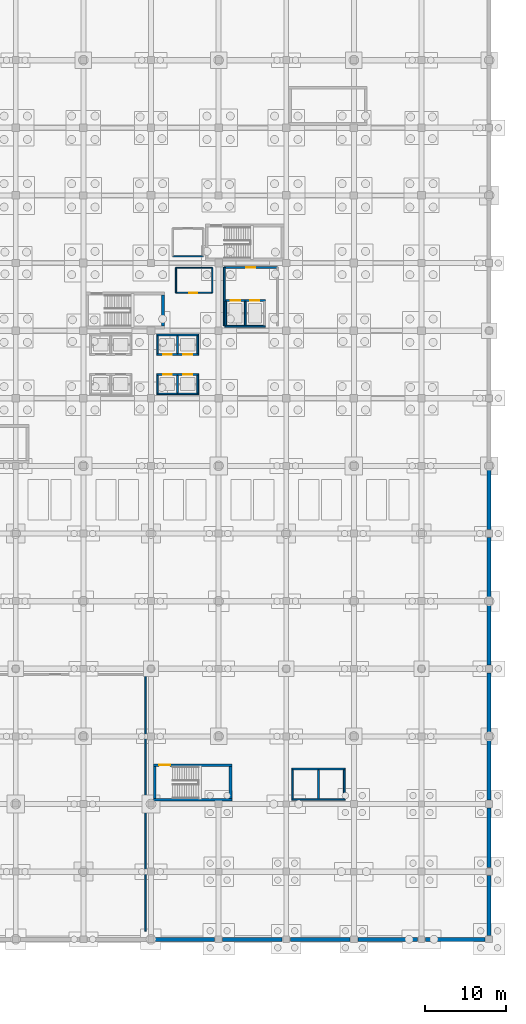
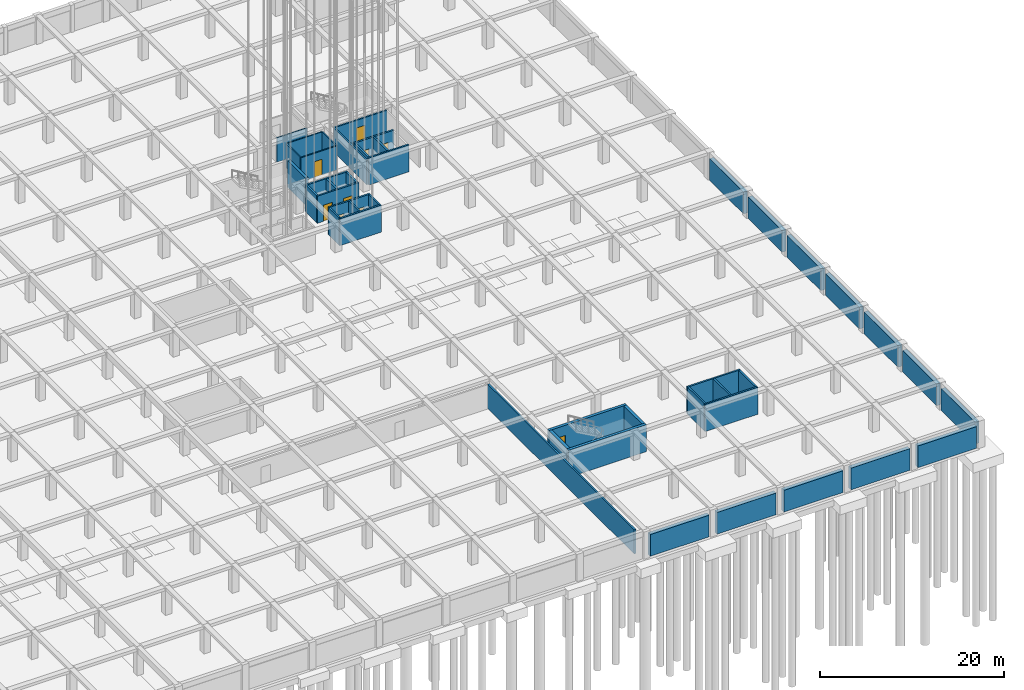
# One storey, part 22 of 47: 44 walls, 9 doors, 9 openings.
"""IFC4 building model written with IfcOpenShell, lengths in metres."""

from ifc_helpers import new_model, si_unit, direction, frame, frame_2d, origin, place, context, subcontext, project, spatial, rectangle, extrude, material, layer, layer_set, type_object, element, fill, save


model = new_model("IFC4")

# Units and contexts
model_context = context("Model", 3, precision=1e-05, world=origin(), true_north=direction((0.0, 1.0)))
body_context = subcontext(model_context, "Body", "Model", "MODEL_VIEW")
ifc_project = project(units=[si_unit("LENGTHUNIT", "METRE"), si_unit("AREAUNIT", "SQUARE_METRE"), si_unit("VOLUMEUNIT", "CUBIC_METRE"), si_unit("PLANEANGLEUNIT", "RADIAN"), si_unit("MASSUNIT", "GRAM", prefix="KILO")], contexts=[model_context])

# Site, building, storey
site_placement = place(None, origin())
site = spatial("IfcSite", under=ifc_project, at=site_placement, CompositionType="ELEMENT")
building_placement = place(site_placement, origin())
building = spatial("IfcBuilding", under=site, at=building_placement, Name="Almacenes y Pasaje Nevantli", CompositionType="ELEMENT")
storey_placement = place(building_placement, frame((0.0, 0.0, -8.10009765625)))
storey = spatial("IfcBuildingStorey", under=building, at=storey_placement, Name="B02", CompositionType="ELEMENT", Elevation=-8.10009765625)

# Wall, opening, door
ifc_material_1 = material(Name="Fire-Rated Concrete Blockwork", Category="masonry")
ifc_layer_1 = layer(ifc_material_1, 0.199951171875)
ifc_layer_set_1 = layer_set([ifc_layer_1], Name="Fire-Rated Concrete Blockwork")
wall_type_1 = type_object("IfcWallType", Name="WL-COMP-200", PredefinedType="PARTITIONING", material=ifc_layer_set_1)
wall_1_placement = place(storey_placement, frame((135.10009765625, 83.449951171875, 0.0), z_axis=(0.0, 0.0, 1.0), x_axis=(1.0, 0.0, 0.0)))
wall_1 = element("IfcWall", 1, at=wall_1_placement, inside=storey, type_object=wall_type_1, Name="B02 Interior Partition Wall IW-200 #1", PredefinedType="PARTITIONING", context=body_context, shape_type="SweptSolid", body=[
    extrude(rectangle(XDim=6.599853515625, YDim=0.199951171875, at=frame_2d((3.2998046875, 0.0))), origin(), (0.0, 0.0, 1.0), 3.22021484375),
])
opening_1_placement = place(wall_1_placement, frame((2.75, 0.0, 0.0)))
opening_1 = element("IfcOpeningElement", 2, at=opening_1_placement, cuts=wall_1, Name="Opening ID-B02-001", PredefinedType="OPENING", context=body_context, shape_type="SweptSolid", body=[
    extrude(rectangle(XDim=1.10009765625, YDim=2.199951171875, at=frame_2d((0.550048828125, 1.10009765625))), frame((0.0, 0.10986328125, 0.0), z_axis=(0.0, -1.0, 0.0), x_axis=(1.0, 0.0, 0.0)), (0.0, 0.0, 1.0), 0.219970703125),
])
ifc_material_2 = material(Name="Galvanized Fire-Rated Steel", Category="steel")
door_type_1 = type_object("IfcDoorType", Name="DR-FD90-1100R", OperationType="SINGLE_SWING_RIGHT", PredefinedType="DOOR", material=ifc_material_2)
door_1_placement = place(opening_1_placement, origin())
door_1 = element("IfcDoor", 3, at=door_1_placement, inside=storey, type_object=door_type_1, Name="B02 Firefighting Lobby Door", OperationType="SINGLE_SWING_RIGHT", OverallHeight=2.199951171875, OverallWidth=1.10009765625, PredefinedType="DOOR", context=body_context, shape_type="SweptSolid", body=[
    extrude(rectangle(XDim=1.10009765625, YDim=2.199951171875, at=frame_2d((0.550048828125, 1.10009765625))), frame((0.0, 0.02490234375, 0.0), z_axis=(0.0, -1.0, 0.0), x_axis=(1.0, 0.0, 0.0)), (0.0, 0.0, 1.0), 0.050048828125),
])
fill(opening_1, door_1)

# Walls
wall_2_placement = place(storey_placement, frame((135.10009765625, 76.199951171875, 0.0), z_axis=(0.0, 0.0, 1.0), x_axis=(0.0, 1.0, 0.0)))
element("IfcWall", 4, at=wall_2_placement, inside=storey, type_object=wall_type_1, Name="B02 Interior Partition Wall IW-200 #2", PredefinedType="PARTITIONING", context=body_context, shape_type="SweptSolid", body=[
    extrude(rectangle(XDim=7.25, YDim=0.199951171875, at=frame_2d((3.625, 0.0))), origin(), (0.0, 0.0, 1.0), 3.22021484375),
])
wall_3_placement = place(storey_placement, frame((125.300048828125, 1.0, 0.0), z_axis=(0.0, 0.0, 1.0), x_axis=(0.0, 1.0, 0.0)))
element("IfcWall", 5, at=wall_3_placement, inside=storey, type_object=wall_type_1, Name="B02 Interior Partition Wall IW-200 #16", PredefinedType="PARTITIONING", context=body_context, shape_type="SweptSolid", body=[
    extrude(rectangle(XDim=31.89990234375, YDim=0.199951171875, at=frame_2d((15.949951171875, 0.0))), origin(), (0.0, 0.0, 1.0), 3.22021484375),
])
ifc_material_3 = material(Name="Concrete C45/55", Category="concrete")
ifc_layer_2 = layer(ifc_material_3, 0.35009765625)
ifc_layer_set_2 = layer_set([ifc_layer_2], Name="Concrete C45/55")
wall_type_2 = type_object("IfcWallType", Name="WL-CORE-350", PredefinedType="SHEAR", material=ifc_layer_set_2)
wall_4_placement = place(storey_placement, frame((127.47509765625, 76.14990234375, 0.0), z_axis=(0.0, 0.0, 1.0), x_axis=(0.0, 1.0, 0.0)))
element("IfcWall", 6, at=wall_4_placement, inside=storey, type_object=wall_type_2, Name="B02 Exit Stair ST-01 East Core Shear Wall", PredefinedType="SHEAR", context=body_context, shape_type="SweptSolid", body=[
    extrude(rectangle(XDim=3.89013671875, YDim=0.35009765625, at=frame_2d((1.945068359375, 0.0))), origin(), (0.0, 0.0, 1.0), 3.60009765625),
])
wall_5_placement = place(storey_placement, frame((126.300048828125, 17.324951171875, 0.0), z_axis=(0.0, 0.0, 1.0), x_axis=(1.0, 0.0, 0.0)))
element("IfcWall", 7, at=wall_5_placement, inside=storey, type_object=wall_type_2, Name="B02 Exit Stair ST-06 South Core Shear Wall", PredefinedType="SHEAR", context=body_context, shape_type="SweptSolid", body=[
    extrude(rectangle(XDim=9.75, YDim=0.35009765625, at=frame_2d((4.875, 0.0))), origin(), (0.0, 0.0, 1.0), 3.60009765625),
])

# Wall, opening, door
wall_6_placement = place(storey_placement, frame((126.300048828125, 21.625, 0.0), z_axis=(0.0, 0.0, 1.0), x_axis=(1.0, 0.0, 0.0)))
wall_6 = element("IfcWall", 8, at=wall_6_placement, inside=storey, type_object=wall_type_2, Name="B02 Exit Stair ST-06 North Core Shear Wall", PredefinedType="SHEAR", context=body_context, shape_type="SweptSolid", body=[
    extrude(rectangle(XDim=9.75, YDim=0.35009765625, at=frame_2d((4.875, 0.0))), origin(), (0.0, 0.0, 1.0), 3.60009765625),
])
opening_2_placement = place(wall_6_placement, frame((0.719970703125, 0.0, 0.0)))
opening_2 = element("IfcOpeningElement", 9, at=opening_2_placement, cuts=wall_6, Name="Opening SD-06-B02", PredefinedType="OPENING", context=body_context, shape_type="SweptSolid", body=[
    extrude(rectangle(XDim=1.35009765625, YDim=2.25, at=frame_2d((0.675048828125, 1.125))), frame((0.0, 0.18505859375, 0.0), z_axis=(0.0, -1.0, 0.0), x_axis=(1.0, 0.0, 0.0)), (0.0, 0.0, 1.0), 0.3701171875),
])
ifc_material_4 = material(Name="Galvanized Fire-Rated Steel", Category="steel")
door_type_2 = type_object("IfcDoorType", Name="DR-STAIR-1350R", OperationType="SINGLE_SWING_RIGHT", PredefinedType="DOOR", material=ifc_material_4)
door_2_placement = place(opening_2_placement, origin())
door_2 = element("IfcDoor", 10, at=door_2_placement, inside=storey, type_object=door_type_2, Name="B02 Smokeproof Exit Stair ST-06 Fire Door", OperationType="SINGLE_SWING_RIGHT", OverallHeight=2.25, OverallWidth=1.35009765625, PredefinedType="DOOR", context=body_context, shape_type="SweptSolid", body=[
    extrude(rectangle(XDim=1.35009765625, YDim=2.25, at=frame_2d((0.675048828125, 1.125))), frame((0.0, 0.02490234375, 0.0), z_axis=(0.0, -1.0, 0.0), x_axis=(1.0, 0.0, 0.0)), (0.0, 0.0, 1.0), 0.050048828125),
])
fill(opening_2, door_2)

# Walls
for number, where, z_axis, x_axis, name in (
    (11, (126.47509765625, 17.5, 0.0), (0.0, 0.0, 1.0), (0.0, 1.0, 0.0), "B02 Exit Stair ST-06 West Core Shear Wall"),
    (12, (135.875, 17.5, 0.0), (0.0, 0.0, 1.0), (0.0, 1.0, 0.0), "B02 Exit Stair ST-06 East Core Shear Wall"),
):
    element("IfcWall", number, at=place(storey_placement, frame(where, z_axis=z_axis, x_axis=x_axis)), inside=storey, type_object=wall_type_2, Name=name, PredefinedType="SHEAR", context=body_context, shape_type="SweptSolid", body=[
        extrude(rectangle(XDim=3.949951171875, YDim=0.35009765625, at=frame_2d((1.97509765625, 0.0))), origin(), (0.0, 0.0, 1.0), 3.60009765625),
    ])

# Wall, opening, door
ifc_material_5 = material(Name="Acoustic Steel-Stud Gypsum Partition", Category="steel")
ifc_layer_3 = layer(ifc_material_5, 0.14990234375)
ifc_layer_set_3 = layer_set([ifc_layer_3], Name="Acoustic Steel-Stud Gypsum Partition")
wall_type_3 = type_object("IfcWallType", Name="WL-PART-150", PredefinedType="PARTITIONING", material=ifc_layer_set_3)
wall_7_placement = place(storey_placement, frame((129.10009765625, 80.300048828125, 0.0), z_axis=(0.0, 0.0, 1.0), x_axis=(1.0, 0.0, 0.0)))
wall_7 = element("IfcWall", 13, at=wall_7_placement, inside=storey, type_object=wall_type_3, Name="B02 Interior Partition Wall IW-150 #4", PredefinedType="PARTITIONING", context=body_context, shape_type="SweptSolid", body=[
    extrude(rectangle(XDim=4.5, YDim=0.14990234375, at=frame_2d((2.25, 0.0))), origin(), (0.0, 0.0, 1.0), 3.22021484375),
])
opening_3_placement = place(wall_7_placement, frame((1.64990234375, 0.0, 0.0)))
opening_3 = element("IfcOpeningElement", 14, at=opening_3_placement, cuts=wall_7, Name="Opening ID-B02-002", PredefinedType="OPENING", context=body_context, shape_type="SweptSolid", body=[
    extrude(rectangle(XDim=1.0, YDim=2.10009765625, at=frame_2d((0.5, 1.050048828125))), frame((0.0, 0.0849609375, 0.0), z_axis=(0.0, -1.0, 0.0), x_axis=(1.0, 0.0, 0.0)), (0.0, 0.0, 1.0), 0.169921875),
])
ifc_material_6 = material(Name="Powder-Coated Hollow Metal", Category="steel")
door_type_3 = type_object("IfcDoorType", Name="DR-INT-1000", OperationType="SINGLE_SWING_LEFT", PredefinedType="DOOR", material=ifc_material_6)
door_3_placement = place(opening_3_placement, origin())
door_3 = element("IfcDoor", 15, at=door_3_placement, inside=storey, type_object=door_type_3, Name="B02 Staff and Public WC Door", OperationType="SINGLE_SWING_LEFT", OverallHeight=2.10009765625, OverallWidth=1.0, PredefinedType="DOOR", context=body_context, shape_type="SweptSolid", body=[
    extrude(rectangle(XDim=1.0, YDim=2.10009765625, at=frame_2d((0.5, 1.050048828125))), frame((0.0, 0.02490234375, 0.0), z_axis=(0.0, -1.0, 0.0), x_axis=(1.0, 0.0, 0.0)), (0.0, 0.0, 1.0), 0.050048828125),
])
fill(opening_3, door_3)

# Walls
wall_8_placement = place(storey_placement, frame((129.10009765625, 83.39990234375, 0.0), z_axis=(0.0, 0.0, 1.0), x_axis=(1.0, 0.0, 0.0)))
element("IfcWall", 16, at=wall_8_placement, inside=storey, type_object=wall_type_3, Name="B02 Interior Partition Wall IW-150 #5", PredefinedType="PARTITIONING", context=body_context, shape_type="SweptSolid", body=[
    extrude(rectangle(XDim=4.5, YDim=0.14990234375, at=frame_2d((2.25, 0.0))), origin(), (0.0, 0.0, 1.0), 3.22021484375),
])
for number, where, z_axis, x_axis, name in (
    (17, (129.10009765625, 80.300048828125, 0.0), (0.0, 0.0, 1.0), (0.0, 1.0, 0.0), "B02 Interior Partition Wall IW-150 #6"),
    (18, (133.60009765625, 80.300048828125, 0.0), (0.0, 0.0, 1.0), (0.0, 1.0, 0.0), "B02 Interior Partition Wall IW-150 #7"),
):
    element("IfcWall", number, at=place(storey_placement, frame(where, z_axis=z_axis, x_axis=x_axis)), inside=storey, type_object=wall_type_3, Name=name, PredefinedType="PARTITIONING", context=body_context, shape_type="SweptSolid", body=[
        extrude(rectangle(XDim=3.099853515625, YDim=0.14990234375, at=frame_2d((1.5498046875, 0.0))), origin(), (0.0, 0.0, 1.0), 3.22021484375),
    ])
wall_9_placement = place(storey_placement, frame((128.699951171875, 84.85009765625, 0.0), z_axis=(0.0, 0.0, 1.0), x_axis=(1.0, 0.0, 0.0)))
element("IfcWall", 19, at=wall_9_placement, inside=storey, type_object=wall_type_3, Name="B02 Interior Partition Wall IW-150 #9", PredefinedType="PARTITIONING", context=body_context, shape_type="SweptSolid", body=[
    extrude(rectangle(XDim=3.800048828125, YDim=0.14990234375, at=frame_2d((1.89990234375, 0.0))), origin(), (0.0, 0.0, 1.0), 3.22021484375),
])
ifc_material_7 = material(Name="Concrete C45/55", Category="concrete")
ifc_layer_4 = layer(ifc_material_7, 0.5)
ifc_layer_set_4 = layer_set([ifc_layer_4], Name="Concrete C45/55")
wall_type_4 = type_object("IfcWallType", Name="WL-RET-500", PredefinedType="SHEAR", material=ifc_layer_set_4)
wall_10_placement = place(storey_placement, frame((126.5, 0.0, 0.0), z_axis=(0.0, 0.0, 1.0), x_axis=(1.0, 0.0, 0.0)))
element("IfcWall", 20, at=wall_10_placement, inside=storey, type_object=wall_type_4, Name="B02 South Basement Retaining Shear Wall #16", PredefinedType="SHEAR", context=body_context, shape_type="SweptSolid", body=[
    extrude(rectangle(XDim=7.39990234375, YDim=0.5, at=frame_2d((3.699951171875, 0.0))), origin(), (0.0, 0.0, 1.0), 2.880126953125),
])
wall_11_placement = place(storey_placement, frame((134.89990234375, 0.0, 0.0), z_axis=(0.0, 0.0, 1.0), x_axis=(1.0, 0.0, 0.0)))
element("IfcWall", 21, at=wall_11_placement, inside=storey, type_object=wall_type_4, Name="B02 South Basement Retaining Shear Wall #17", PredefinedType="SHEAR", context=body_context, shape_type="SweptSolid", body=[
    extrude(rectangle(XDim=7.400146484375, YDim=0.5, at=frame_2d((3.7001953125, 0.0))), origin(), (0.0, 0.0, 1.0), 2.880126953125),
])
wall_12_placement = place(storey_placement, frame((143.300048828125, 0.0, 0.0), z_axis=(0.0, 0.0, 1.0), x_axis=(1.0, 0.0, 0.0)))
element("IfcWall", 22, at=wall_12_placement, inside=storey, type_object=wall_type_4, Name="B02 South Basement Retaining Shear Wall #18", PredefinedType="SHEAR", context=body_context, shape_type="SweptSolid", body=[
    extrude(rectangle(XDim=7.39990234375, YDim=0.5, at=frame_2d((3.699951171875, 0.0))), origin(), (0.0, 0.0, 1.0), 2.880126953125),
])
wall_13_placement = place(storey_placement, frame((151.699951171875, 0.0, 0.0), z_axis=(0.0, 0.0, 1.0), x_axis=(1.0, 0.0, 0.0)))
element("IfcWall", 23, at=wall_13_placement, inside=storey, type_object=wall_type_4, Name="B02 South Basement Retaining Shear Wall #19", PredefinedType="SHEAR", context=body_context, shape_type="SweptSolid", body=[
    extrude(rectangle(XDim=7.400146484375, YDim=0.5, at=frame_2d((3.7001953125, 0.0))), origin(), (0.0, 0.0, 1.0), 2.880126953125),
])
for number, where, z_axis, x_axis, name in (
    (24, (160.10009765625, 0.0, 0.0), (0.0, 0.0, 1.0), (1.0, 0.0, 0.0), "B02 South Basement Retaining Shear Wall #20"),
    (25, (168.0, 0.5, 0.0), (0.0, 0.0, 1.0), (0.0, 1.0, 0.0), "B02 East Basement Retaining Shear Wall #1"),
):
    element("IfcWall", number, at=place(storey_placement, frame(where, z_axis=z_axis, x_axis=x_axis)), inside=storey, type_object=wall_type_4, Name=name, PredefinedType="SHEAR", context=body_context, shape_type="SweptSolid", body=[
        extrude(rectangle(XDim=7.39990234375, YDim=0.5, at=frame_2d((3.699951171875, 0.0))), origin(), (0.0, 0.0, 1.0), 2.880126953125),
    ])
wall_14_placement = place(storey_placement, frame((168.0, 8.89990234375, 0.0), z_axis=(0.0, 0.0, 1.0), x_axis=(0.0, 1.0, 0.0)))
element("IfcWall", 26, at=wall_14_placement, inside=storey, type_object=wall_type_4, Name="B02 East Basement Retaining Shear Wall #2", PredefinedType="SHEAR", context=body_context, shape_type="SweptSolid", body=[
    extrude(rectangle(XDim=7.400146484375, YDim=0.5, at=frame_2d((3.7001953125, 0.0))), origin(), (0.0, 0.0, 1.0), 2.880126953125),
])
wall_15_placement = place(storey_placement, frame((168.0, 17.300048828125, 0.0), z_axis=(0.0, 0.0, 1.0), x_axis=(0.0, 1.0, 0.0)))
element("IfcWall", 27, at=wall_15_placement, inside=storey, type_object=wall_type_4, Name="B02 East Basement Retaining Shear Wall #3", PredefinedType="SHEAR", context=body_context, shape_type="SweptSolid", body=[
    extrude(rectangle(XDim=7.39990234375, YDim=0.5, at=frame_2d((3.699951171875, 0.0))), origin(), (0.0, 0.0, 1.0), 2.880126953125),
])
wall_16_placement = place(storey_placement, frame((168.0, 25.699951171875, 0.0), z_axis=(0.0, 0.0, 1.0), x_axis=(0.0, 1.0, 0.0)))
element("IfcWall", 28, at=wall_16_placement, inside=storey, type_object=wall_type_4, Name="B02 East Basement Retaining Shear Wall #4", PredefinedType="SHEAR", context=body_context, shape_type="SweptSolid", body=[
    extrude(rectangle(XDim=7.400146484375, YDim=0.5, at=frame_2d((3.7001953125, 0.0))), origin(), (0.0, 0.0, 1.0), 2.880126953125),
])
for number, where, z_axis, x_axis, name in (
    (29, (168.0, 34.10009765625, 0.0), (0.0, 0.0, 1.0), (0.0, 1.0, 0.0), "B02 East Basement Retaining Shear Wall #5"),
    (30, (168.0, 42.5, 0.0), (0.0, 0.0, 1.0), (0.0, 1.0, 0.0), "B02 East Basement Retaining Shear Wall #6"),
):
    element("IfcWall", number, at=place(storey_placement, frame(where, z_axis=z_axis, x_axis=x_axis)), inside=storey, type_object=wall_type_4, Name=name, PredefinedType="SHEAR", context=body_context, shape_type="SweptSolid", body=[
        extrude(rectangle(XDim=7.39990234375, YDim=0.5, at=frame_2d((3.699951171875, 0.0))), origin(), (0.0, 0.0, 1.0), 2.880126953125),
    ])
wall_17_placement = place(storey_placement, frame((168.0, 50.89990234375, 0.0), z_axis=(0.0, 0.0, 1.0), x_axis=(0.0, 1.0, 0.0)))
element("IfcWall", 31, at=wall_17_placement, inside=storey, type_object=wall_type_4, Name="B02 East Basement Retaining Shear Wall #7", PredefinedType="SHEAR", context=body_context, shape_type="SweptSolid", body=[
    extrude(rectangle(XDim=7.400146484375, YDim=0.5, at=frame_2d((3.7001953125, 0.0))), origin(), (0.0, 0.0, 1.0), 2.880126953125),
])
ifc_material_8 = material(Name="Concrete C45/55", Category="concrete")
ifc_layer_5 = layer(ifc_material_8, 0.2099609375)
ifc_layer_set_5 = layer_set([ifc_layer_5], Name="Concrete C45/55")
wall_type_5 = type_object("IfcWallType", Name="WL-SHAFT-210", PredefinedType="SHEAR", material=ifc_layer_set_5)
wall_18_placement = place(storey_placement, frame((126.68994140625, 67.7451171875, 0.0), z_axis=(0.0, 0.0, 1.0), x_axis=(1.0, 0.0, 0.0)))
element("IfcWall", 32, at=wall_18_placement, inside=storey, type_object=wall_type_5, Name="B02 Lift Hoistway ELV-P01-ELV-P02 South Wall", PredefinedType="SHEAR", context=body_context, shape_type="SweptSolid", body=[
    extrude(rectangle(XDim=5.219970703125, YDim=0.2099609375, at=frame_2d((2.60986328125, 0.0))), origin(), (0.0, 0.0, 1.0), 3.60009765625),
])

# Wall, openings, doors
wall_19_placement = place(storey_placement, frame((126.68994140625, 70.155029296875, 0.0), z_axis=(0.0, 0.0, 1.0), x_axis=(1.0, 0.0, 0.0)))
wall_19 = element("IfcWall", 33, at=wall_19_placement, inside=storey, type_object=wall_type_5, Name="B02 Lift Hoistway ELV-P01-ELV-P02 North Wall", PredefinedType="SHEAR", context=body_context, shape_type="SweptSolid", body=[
    extrude(rectangle(XDim=5.219970703125, YDim=0.2099609375, at=frame_2d((2.60986328125, 0.0))), origin(), (0.0, 0.0, 1.0), 3.60009765625),
])
opening_4_placement = place(wall_19_placement, frame((0.81005859375, 0.0, 0.0)))
opening_4 = element("IfcOpeningElement", 34, at=opening_4_placement, cuts=wall_19, Name="Opening LD-P01-B02", PredefinedType="OPENING", context=body_context, shape_type="SweptSolid", body=[
    extrude(rectangle(XDim=1.10009765625, YDim=2.14990234375, at=frame_2d((0.550048828125, 1.074951171875))), frame((0.0, 0.114990234375, 0.0), z_axis=(0.0, -1.0, 0.0), x_axis=(1.0, 0.0, 0.0)), (0.0, 0.0, 1.0), 0.22998046875),
])
opening_5_placement = place(wall_19_placement, frame((3.31005859375, 0.0, 0.0)))
opening_5 = element("IfcOpeningElement", 35, at=opening_5_placement, cuts=wall_19, Name="Opening LD-P02-B02", PredefinedType="OPENING", context=body_context, shape_type="SweptSolid", body=[
    extrude(rectangle(XDim=1.10009765625, YDim=2.14990234375, at=frame_2d((0.550048828125, 1.074951171875))), frame((0.0, 0.114990234375, 0.0), z_axis=(0.0, -1.0, 0.0), x_axis=(1.0, 0.0, 0.0)), (0.0, 0.0, 1.0), 0.22998046875),
])
ifc_material_9 = material(Name="Brushed Stainless Steel", Category="steel")
door_type_4 = type_object("IfcDoorType", Name="DR-LD-PASS-1100", OperationType="DOUBLE_DOOR_SLIDING", PredefinedType="DOOR", material=ifc_material_9)
door_4_placement = place(opening_4_placement, origin())
door_4 = element("IfcDoor", 36, at=door_4_placement, inside=storey, type_object=door_type_4, Name="Lift Landing Door ELV-P01 B02", OperationType="DOUBLE_DOOR_SLIDING", OverallHeight=2.14990234375, OverallWidth=1.10009765625, PredefinedType="DOOR", context=body_context, shape_type="SweptSolid", body=[
    extrude(rectangle(XDim=1.10009765625, YDim=2.14990234375, at=frame_2d((0.550048828125, 1.074951171875))), frame((0.0, 0.02490234375, 0.0), z_axis=(0.0, -1.0, 0.0), x_axis=(1.0, 0.0, 0.0)), (0.0, 0.0, 1.0), 0.050048828125),
])
fill(opening_4, door_4)
door_5_placement = place(opening_5_placement, origin())
door_5 = element("IfcDoor", 37, at=door_5_placement, inside=storey, type_object=door_type_4, Name="Lift Landing Door ELV-P02 B02", OperationType="DOUBLE_DOOR_SLIDING", OverallHeight=2.14990234375, OverallWidth=1.10009765625, PredefinedType="DOOR", context=body_context, shape_type="SweptSolid", body=[
    extrude(rectangle(XDim=1.10009765625, YDim=2.14990234375, at=frame_2d((0.550048828125, 1.074951171875))), frame((0.0, 0.02490234375, 0.0), z_axis=(0.0, -1.0, 0.0), x_axis=(1.0, 0.0, 0.0)), (0.0, 0.0, 1.0), 0.050048828125),
])
fill(opening_5, door_5)

# Walls
for number, where, z_axis, x_axis, name in (
    (38, (126.794921875, 67.85009765625, 0.0), (0.0, 0.0, 1.0), (0.0, 1.0, 0.0), "B02 Lift Hoistway ELV-P01 West Wall"),
    (39, (131.804931640625, 67.85009765625, 0.0), (0.0, 0.0, 1.0), (0.0, 1.0, 0.0), "B02 Lift Hoistway ELV-P02 East Wall"),
    (40, (129.300048828125, 67.85009765625, 0.0), (0.0, 0.0, 1.0), (0.0, 1.0, 0.0), "B02 Lift Hoistway Divider Wall ELV-P01/ELV-P02"),
):
    element("IfcWall", number, at=place(storey_placement, frame(where, z_axis=z_axis, x_axis=x_axis)), inside=storey, type_object=wall_type_5, Name=name, PredefinedType="SHEAR", context=body_context, shape_type="SweptSolid", body=[
        extrude(rectangle(XDim=2.199951171875, YDim=0.2099609375, at=frame_2d((1.10009765625, 0.0))), origin(), (0.0, 0.0, 1.0), 3.60009765625),
    ])

# Wall, openings, doors
wall_20_placement = place(storey_placement, frame((126.68994140625, 72.64501953125, 0.0), z_axis=(0.0, 0.0, 1.0), x_axis=(1.0, 0.0, 0.0)))
wall_20 = element("IfcWall", 41, at=wall_20_placement, inside=storey, type_object=wall_type_5, Name="B02 Lift Hoistway ELV-P03-ELV-P04 South Wall", PredefinedType="SHEAR", context=body_context, shape_type="SweptSolid", body=[
    extrude(rectangle(XDim=5.219970703125, YDim=0.2099609375, at=frame_2d((2.60986328125, 0.0))), origin(), (0.0, 0.0, 1.0), 3.60009765625),
])
opening_6_placement = place(wall_20_placement, frame((0.81005859375, 0.0, 0.0)))
opening_6 = element("IfcOpeningElement", 42, at=opening_6_placement, cuts=wall_20, Name="Opening LD-P03-B02", PredefinedType="OPENING", context=body_context, shape_type="SweptSolid", body=[
    extrude(rectangle(XDim=1.10009765625, YDim=2.14990234375, at=frame_2d((0.550048828125, 1.074951171875))), frame((0.0, 0.114990234375, 0.0), z_axis=(0.0, -1.0, 0.0), x_axis=(1.0, 0.0, 0.0)), (0.0, 0.0, 1.0), 0.22998046875),
])
opening_7_placement = place(wall_20_placement, frame((3.31005859375, 0.0, 0.0)))
opening_7 = element("IfcOpeningElement", 43, at=opening_7_placement, cuts=wall_20, Name="Opening LD-P04-B02", PredefinedType="OPENING", context=body_context, shape_type="SweptSolid", body=[
    extrude(rectangle(XDim=1.10009765625, YDim=2.14990234375, at=frame_2d((0.550048828125, 1.074951171875))), frame((0.0, 0.114990234375, 0.0), z_axis=(0.0, -1.0, 0.0), x_axis=(1.0, 0.0, 0.0)), (0.0, 0.0, 1.0), 0.22998046875),
])
door_6_placement = place(opening_6_placement, origin())
door_6 = element("IfcDoor", 44, at=door_6_placement, inside=storey, type_object=door_type_4, Name="Lift Landing Door ELV-P03 B02", OperationType="DOUBLE_DOOR_SLIDING", OverallHeight=2.14990234375, OverallWidth=1.10009765625, PredefinedType="DOOR", context=body_context, shape_type="SweptSolid", body=[
    extrude(rectangle(XDim=1.10009765625, YDim=2.14990234375, at=frame_2d((0.550048828125, 1.074951171875))), frame((0.0, 0.02490234375, 0.0), z_axis=(0.0, -1.0, 0.0), x_axis=(1.0, 0.0, 0.0)), (0.0, 0.0, 1.0), 0.050048828125),
])
fill(opening_6, door_6)
door_7_placement = place(opening_7_placement, origin())
door_7 = element("IfcDoor", 45, at=door_7_placement, inside=storey, type_object=door_type_4, Name="Lift Landing Door ELV-P04 B02", OperationType="DOUBLE_DOOR_SLIDING", OverallHeight=2.14990234375, OverallWidth=1.10009765625, PredefinedType="DOOR", context=body_context, shape_type="SweptSolid", body=[
    extrude(rectangle(XDim=1.10009765625, YDim=2.14990234375, at=frame_2d((0.550048828125, 1.074951171875))), frame((0.0, 0.02490234375, 0.0), z_axis=(0.0, -1.0, 0.0), x_axis=(1.0, 0.0, 0.0)), (0.0, 0.0, 1.0), 0.050048828125),
])
fill(opening_7, door_7)

# Walls
wall_21_placement = place(storey_placement, frame((126.68994140625, 75.054931640625, 0.0), z_axis=(0.0, 0.0, 1.0), x_axis=(1.0, 0.0, 0.0)))
element("IfcWall", 46, at=wall_21_placement, inside=storey, type_object=wall_type_5, Name="B02 Lift Hoistway ELV-P03-ELV-P04 North Wall", PredefinedType="SHEAR", context=body_context, shape_type="SweptSolid", body=[
    extrude(rectangle(XDim=5.219970703125, YDim=0.2099609375, at=frame_2d((2.60986328125, 0.0))), origin(), (0.0, 0.0, 1.0), 3.60009765625),
])
for number, where, z_axis, x_axis, name in (
    (47, (126.794921875, 72.75, 0.0), (0.0, 0.0, 1.0), (0.0, 1.0, 0.0), "B02 Lift Hoistway ELV-P03 West Wall"),
    (48, (131.804931640625, 72.75, 0.0), (0.0, 0.0, 1.0), (0.0, 1.0, 0.0), "B02 Lift Hoistway ELV-P04 East Wall"),
    (49, (129.300048828125, 72.75, 0.0), (0.0, 0.0, 1.0), (0.0, 1.0, 0.0), "B02 Lift Hoistway Divider Wall ELV-P03/ELV-P04"),
):
    element("IfcWall", number, at=place(storey_placement, frame(where, z_axis=z_axis, x_axis=x_axis)), inside=storey, type_object=wall_type_5, Name=name, PredefinedType="SHEAR", context=body_context, shape_type="SweptSolid", body=[
        extrude(rectangle(XDim=2.199951171875, YDim=0.2099609375, at=frame_2d((1.10009765625, 0.0))), origin(), (0.0, 0.0, 1.0), 3.60009765625),
    ])
wall_22_placement = place(storey_placement, frame((135.18994140625, 76.14501953125, 0.0), z_axis=(0.0, 0.0, 1.0), x_axis=(1.0, 0.0, 0.0)))
element("IfcWall", 50, at=wall_22_placement, inside=storey, type_object=wall_type_5, Name="B02 Lift Hoistway ELV-FF1-ELV-FF2 South Wall", PredefinedType="SHEAR", context=body_context, shape_type="SweptSolid", body=[
    extrude(rectangle(XDim=5.02001953125, YDim=0.2099609375, at=frame_2d((2.510009765625, 0.0))), origin(), (0.0, 0.0, 1.0), 3.60009765625),
])

# Wall, openings, doors
wall_23_placement = place(storey_placement, frame((135.18994140625, 79.35498046875, 0.0), z_axis=(0.0, 0.0, 1.0), x_axis=(1.0, 0.0, 0.0)))
wall_23 = element("IfcWall", 51, at=wall_23_placement, inside=storey, type_object=wall_type_5, Name="B02 Lift Hoistway ELV-FF1-ELV-FF2 North Wall", PredefinedType="SHEAR", context=body_context, shape_type="SweptSolid", body=[
    extrude(rectangle(XDim=5.02001953125, YDim=0.2099609375, at=frame_2d((2.510009765625, 0.0))), origin(), (0.0, 0.0, 1.0), 3.60009765625),
])
opening_8_placement = place(wall_23_placement, frame((0.735107421875, 0.0, 0.0)))
opening_8 = element("IfcOpeningElement", 52, at=opening_8_placement, cuts=wall_23, Name="Opening LD-FF1-B02", PredefinedType="OPENING", context=body_context, shape_type="SweptSolid", body=[
    extrude(rectangle(XDim=1.14990234375, YDim=2.199951171875, at=frame_2d((0.574951171875, 1.10009765625))), frame((0.0, 0.114990234375, 0.0), z_axis=(0.0, -1.0, 0.0), x_axis=(1.0, 0.0, 0.0)), (0.0, 0.0, 1.0), 0.22998046875),
])
opening_9_placement = place(wall_23_placement, frame((3.135009765625, 0.0, 0.0)))
opening_9 = element("IfcOpeningElement", 53, at=opening_9_placement, cuts=wall_23, Name="Opening LD-FF2-B02", PredefinedType="OPENING", context=body_context, shape_type="SweptSolid", body=[
    extrude(rectangle(XDim=1.14990234375, YDim=2.199951171875, at=frame_2d((0.574951171875, 1.10009765625))), frame((0.0, 0.114990234375, 0.0), z_axis=(0.0, -1.0, 0.0), x_axis=(1.0, 0.0, 0.0)), (0.0, 0.0, 1.0), 0.22998046875),
])
ifc_material_10 = material(Name="Fire-Rated Stainless Steel", Category="steel")
door_type_5 = type_object("IfcDoorType", Name="DR-LD-FF-1150", OperationType="DOUBLE_DOOR_SLIDING", PredefinedType="DOOR", material=ifc_material_10)
door_8_placement = place(opening_8_placement, origin())
door_8 = element("IfcDoor", 54, at=door_8_placement, inside=storey, type_object=door_type_5, Name="Lift Landing Door ELV-FF1 B02", OperationType="DOUBLE_DOOR_SLIDING", OverallHeight=2.199951171875, OverallWidth=1.14990234375, PredefinedType="DOOR", context=body_context, shape_type="SweptSolid", body=[
    extrude(rectangle(XDim=1.14990234375, YDim=2.199951171875, at=frame_2d((0.574951171875, 1.10009765625))), frame((0.0, 0.02490234375, 0.0), z_axis=(0.0, -1.0, 0.0), x_axis=(1.0, 0.0, 0.0)), (0.0, 0.0, 1.0), 0.050048828125),
])
fill(opening_8, door_8)
door_9_placement = place(opening_9_placement, origin())
door_9 = element("IfcDoor", 55, at=door_9_placement, inside=storey, type_object=door_type_5, Name="Lift Landing Door ELV-FF2 B02", OperationType="DOUBLE_DOOR_SLIDING", OverallHeight=2.199951171875, OverallWidth=1.14990234375, PredefinedType="DOOR", context=body_context, shape_type="SweptSolid", body=[
    extrude(rectangle(XDim=1.14990234375, YDim=2.199951171875, at=frame_2d((0.574951171875, 1.10009765625))), frame((0.0, 0.02490234375, 0.0), z_axis=(0.0, -1.0, 0.0), x_axis=(1.0, 0.0, 0.0)), (0.0, 0.0, 1.0), 0.050048828125),
])
fill(opening_9, door_9)

# Walls
for number, where, z_axis, x_axis, name in (
    (56, (135.294921875, 76.25, 0.0), (0.0, 0.0, 1.0), (0.0, 1.0, 0.0), "B02 Lift Hoistway ELV-FF1 West Wall"),
    (57, (137.699951171875, 76.25, 0.0), (0.0, 0.0, 1.0), (0.0, 1.0, 0.0), "B02 Lift Hoistway Divider Wall ELV-FF1/ELV-FF2"),
):
    element("IfcWall", number, at=place(storey_placement, frame(where, z_axis=z_axis, x_axis=x_axis)), inside=storey, type_object=wall_type_5, Name=name, PredefinedType="SHEAR", context=body_context, shape_type="SweptSolid", body=[
        extrude(rectangle(XDim=3.0, YDim=0.2099609375, at=frame_2d((1.5, 0.0))), origin(), (0.0, 0.0, 1.0), 3.60009765625),
    ])
for number, where, z_axis, x_axis, name in (
    (58, (143.489990234375, 17.344970703125, 0.0), (0.0, 0.0, 1.0), (1.0, 0.0, 0.0), "B02 Lift Hoistway ELV-G01-ELV-G02 South Wall"),
    (59, (143.489990234375, 21.155029296875, 0.0), (0.0, 0.0, 1.0), (1.0, 0.0, 0.0), "B02 Lift Hoistway ELV-G01-ELV-G02 North Wall"),
):
    element("IfcWall", number, at=place(storey_placement, frame(where, z_axis=z_axis, x_axis=x_axis)), inside=storey, type_object=wall_type_5, Name=name, PredefinedType="SHEAR", context=body_context, shape_type="SweptSolid", body=[
        extrude(rectangle(XDim=6.6201171875, YDim=0.2099609375, at=frame_2d((3.31005859375, 0.0))), origin(), (0.0, 0.0, 1.0), 3.60009765625),
    ])
for number, where, z_axis, x_axis, name in (
    (60, (143.594970703125, 17.449951171875, 0.0), (0.0, 0.0, 1.0), (0.0, 1.0, 0.0), "B02 Lift Hoistway ELV-G01 West Wall"),
    (61, (150.0048828125, 17.449951171875, 0.0), (0.0, 0.0, 1.0), (0.0, 1.0, 0.0), "B02 Lift Hoistway ELV-G02 East Wall"),
    (62, (146.800048828125, 17.449951171875, 0.0), (0.0, 0.0, 1.0), (0.0, 1.0, 0.0), "B02 Lift Hoistway Divider Wall ELV-G01/ELV-G02"),
):
    element("IfcWall", number, at=place(storey_placement, frame(where, z_axis=z_axis, x_axis=x_axis)), inside=storey, type_object=wall_type_5, Name=name, PredefinedType="SHEAR", context=body_context, shape_type="SweptSolid", body=[
        extrude(rectangle(XDim=3.60009765625, YDim=0.2099609375, at=frame_2d((1.800048828125, 0.0))), origin(), (0.0, 0.0, 1.0), 3.60009765625),
    ])

save(model, "model.ifc")
